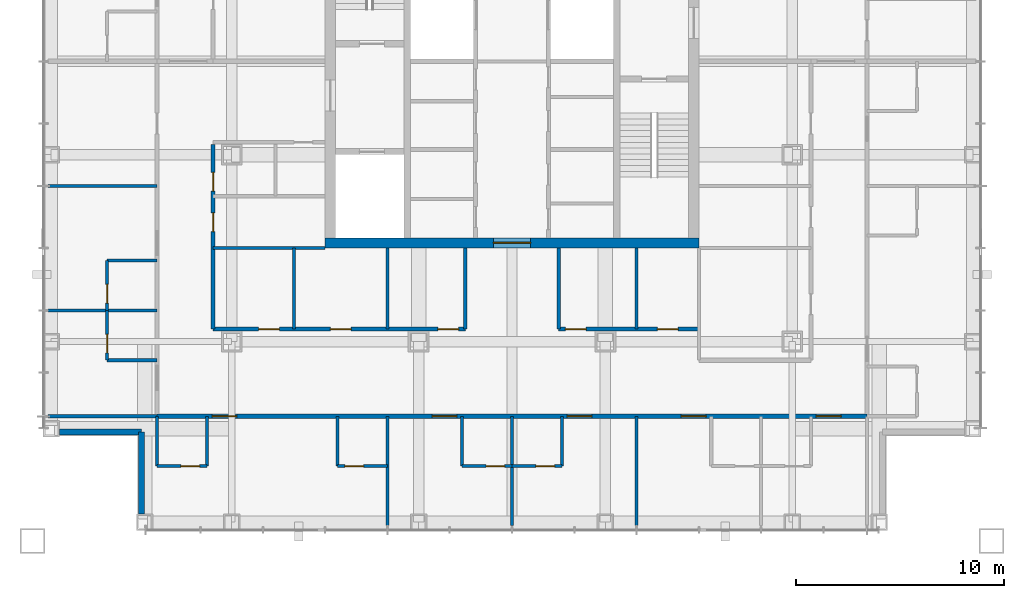
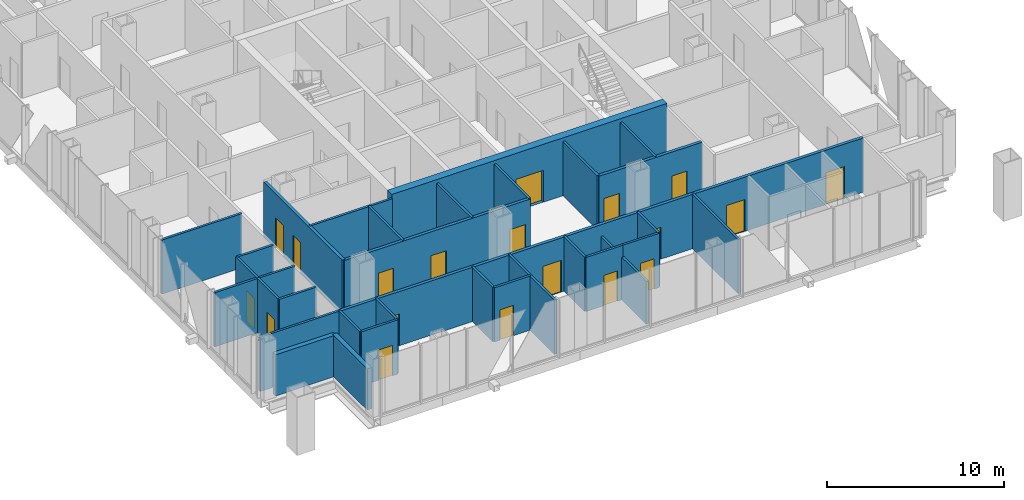
# One storey, part 11 of 21: 32 walls, 19 doors, 19 openings.
"""IFC4 building model written with IfcOpenShell, lengths in metres."""

from ifc_helpers import new_model, si_unit, direction, frame, frame_2d, origin, place, context, subcontext, project, spatial, rectangle, extrude, material, layer, layer_set, type_object, element, fill, save


model = new_model("IFC4")

# Units and contexts
model_context = context("Model", 3, precision=1e-05, world=origin(), true_north=direction((0.0, 1.0)))
body_context = subcontext(model_context, "Body", "Model", "MODEL_VIEW")
ifc_project = project(units=[si_unit("LENGTHUNIT", "METRE"), si_unit("AREAUNIT", "SQUARE_METRE"), si_unit("VOLUMEUNIT", "CUBIC_METRE"), si_unit("PLANEANGLEUNIT", "RADIAN"), si_unit("MASSUNIT", "GRAM", prefix="KILO")], contexts=[model_context])

# Site, building, storey
site_placement = place(None, origin())
site = spatial("IfcSite", under=ifc_project, at=site_placement, CompositionType="ELEMENT")
building_placement = place(site_placement, origin())
building = spatial("IfcBuilding", under=site, at=building_placement, Name="Malebo Sky Hospital", CompositionType="ELEMENT")
storey_placement = place(building_placement, frame((0.0, 0.0, 229.0)))
storey = spatial("IfcBuildingStorey", under=building, at=storey_placement, Name="L55", CompositionType="ELEMENT", Elevation=229.0)

# Wall, opening, door
ifc_material_1 = material(Name="Concrete C80/95", Category="concrete")
ifc_layer_1 = layer(ifc_material_1, 0.5)
ifc_layer_set_1 = layer_set([ifc_layer_1], Name="CORE WALL 500")
wall_type_1 = type_object("IfcWallType", Name="CORE WALL 500", PredefinedType="SHEAR", material=ifc_layer_set_1)
wall_1_placement = place(storey_placement, frame((51.0, 53.25, 0.0), z_axis=(0.0, 0.0, 1.0), x_axis=(1.0, 0.0, 0.0)))
wall_1 = element("IfcWall", 1, at=wall_1_placement, inside=storey, type_object=wall_type_1, Name="Core wall S L55", PredefinedType="SHEAR", context=body_context, shape_type="SweptSolid", body=[
    extrude(rectangle(XDim=18.0, YDim=0.5, at=frame_2d((9.0, 0.0))), origin(), (0.0, 0.0, 1.0), 4.0),
])
opening_1_placement = place(wall_1_placement, frame((8.10009765625, 0.0, 0.0)))
opening_1 = element("IfcOpeningElement", 2, at=opening_1_placement, cuts=wall_1, Name="Opening D06", PredefinedType="OPENING", context=body_context, shape_type="SweptSolid", body=[
    extrude(rectangle(XDim=1.800048828125, YDim=2.199951171875, at=frame_2d((0.89990234375, 1.10009765625))), frame((0.0, 0.260009765625, 0.0), z_axis=(0.0, -1.0, 0.0), x_axis=(1.0, 0.0, 0.0)), (0.0, 0.0, 1.0), 0.52001953125),
])
ifc_material_2 = material(Name="Hardwood-faced door leaf in steel frame", Category="steel")
door_type_1 = type_object("IfcDoorType", Name="LOBBY DOOR PAIR 1800", OperationType="DOUBLE_DOOR_SINGLE_SWING", PredefinedType="DOOR", material=ifc_material_2)
door_1_placement = place(opening_1_placement, origin())
door_1 = element("IfcDoor", 3, at=door_1_placement, inside=storey, type_object=door_type_1, Name="Service lobby door south", OperationType="DOUBLE_DOOR_SINGLE_SWING", OverallHeight=2.199951171875, OverallWidth=1.800048828125, PredefinedType="DOOR", context=body_context, shape_type="SweptSolid", body=[
    extrude(rectangle(XDim=1.800048828125, YDim=2.199951171875, at=frame_2d((0.89990234375, 1.10009765625))), frame((0.0, 0.02490234375, 0.0), z_axis=(0.0, -1.0, 0.0), x_axis=(1.0, 0.0, 0.0)), (0.0, 0.0, 1.0), 0.050048828125),
])
fill(opening_1, door_1)

# Wall, openings, doors
ifc_material_3 = material(Name="Gypsum board on steel studs", Category="steel")
ifc_layer_2 = layer(ifc_material_3, 0.199951171875)
ifc_layer_set_2 = layer_set([ifc_layer_2], Name="CORRIDOR WALL 200")
wall_type_2 = type_object("IfcWallType", Name="CORRIDOR WALL 200", PredefinedType="PARTITIONING", material=ifc_layer_set_2)
wall_2_placement = place(storey_placement, frame((45.60009765625, 49.10009765625, 0.0), z_axis=(0.0, 0.0, 1.0), x_axis=(0.0, 1.0, 0.0)))
wall_2 = element("IfcWall", 4, at=wall_2_placement, inside=storey, type_object=wall_type_2, Name="Corridor Wall 200 WCI1", PredefinedType="PARTITIONING", context=body_context, shape_type="SweptSolid", body=[
    extrude(rectangle(XDim=8.89990234375, YDim=0.199951171875, at=frame_2d((4.449951171875, 0.0))), origin(), (0.0, 0.0, 1.0), 3.75),
])
opening_2_placement = place(wall_2_placement, frame((4.699951171875, 0.0, 0.0)))
opening_2 = element("IfcOpeningElement", 5, at=opening_2_placement, cuts=wall_2, Name="Opening D04", PredefinedType="OPENING", context=body_context, shape_type="SweptSolid", body=[
    extrude(rectangle(XDim=0.89990234375, YDim=2.10009765625, at=frame_2d((0.449951171875, 1.050048828125))), frame((0.0, 0.10986328125, 0.0), z_axis=(0.0, -1.0, 0.0), x_axis=(1.0, 0.0, 0.0)), (0.0, 0.0, 1.0), 0.219970703125),
])
opening_3_placement = place(wall_2_placement, frame((6.64990234375, 0.0, 0.0)))
opening_3 = element("IfcOpeningElement", 6, at=opening_3_placement, cuts=wall_2, Name="Opening D04", PredefinedType="OPENING", context=body_context, shape_type="SweptSolid", body=[
    extrude(rectangle(XDim=0.89990234375, YDim=2.10009765625, at=frame_2d((0.449951171875, 1.050048828125))), frame((0.0, 0.10986328125, 0.0), z_axis=(0.0, -1.0, 0.0), x_axis=(1.0, 0.0, 0.0)), (0.0, 0.0, 1.0), 0.219970703125),
])
door_type_2 = type_object("IfcDoorType", Name="ROOM DOOR 900", OperationType="SINGLE_SWING_LEFT", PredefinedType="DOOR", material=ifc_material_2)
door_2_placement = place(opening_2_placement, origin())
door_2 = element("IfcDoor", 7, at=door_2_placement, inside=storey, type_object=door_type_2, Name="Ward office door", OperationType="SINGLE_SWING_LEFT", OverallHeight=2.10009765625, OverallWidth=0.89990234375, PredefinedType="DOOR", context=body_context, shape_type="SweptSolid", body=[
    extrude(rectangle(XDim=0.89990234375, YDim=2.10009765625, at=frame_2d((0.449951171875, 1.050048828125))), frame((0.0, 0.02490234375, 0.0), z_axis=(0.0, -1.0, 0.0), x_axis=(1.0, 0.0, 0.0)), (0.0, 0.0, 1.0), 0.050048828125),
])
fill(opening_2, door_2)
door_3_placement = place(opening_3_placement, origin())
door_3 = element("IfcDoor", 8, at=door_3_placement, inside=storey, type_object=door_type_2, Name="Linen store door", OperationType="SINGLE_SWING_LEFT", OverallHeight=2.10009765625, OverallWidth=0.89990234375, PredefinedType="DOOR", context=body_context, shape_type="SweptSolid", body=[
    extrude(rectangle(XDim=0.89990234375, YDim=2.10009765625, at=frame_2d((0.449951171875, 1.050048828125))), frame((0.0, 0.02490234375, 0.0), z_axis=(0.0, -1.0, 0.0), x_axis=(1.0, 0.0, 0.0)), (0.0, 0.0, 1.0), 0.050048828125),
])
fill(opening_3, door_3)

wall_3_placement = place(storey_placement, frame((77.10009765625, 44.89990234375, 0.0), z_axis=(0.0, 0.0, 1.0), x_axis=(-1.0, 0.0, 0.0)))
wall_3 = element("IfcWall", 9, at=wall_3_placement, inside=storey, type_object=wall_type_2, Name="Corridor Wall 200 SCO", PredefinedType="PARTITIONING", context=body_context, shape_type="SweptSolid", body=[
    extrude(rectangle(XDim=34.2001953125, YDim=0.199951171875, at=frame_2d((17.10009765625, 0.0))), origin(), (0.0, 0.0, 1.0), 3.75),
])
opening_4_placement = place(wall_3_placement, frame((1.25, 0.0, 0.0)))
opening_4 = element("IfcOpeningElement", 10, at=opening_4_placement, cuts=wall_3, Name="Opening D01", PredefinedType="OPENING", context=body_context, shape_type="SweptSolid", body=[
    extrude(rectangle(XDim=1.199951171875, YDim=2.199951171875, at=frame_2d((0.60009765625, 1.10009765625))), frame((0.0, 0.10986328125, 0.0), z_axis=(0.0, -1.0, 0.0), x_axis=(1.0, 0.0, 0.0)), (0.0, 0.0, 1.0), 0.219970703125),
])
opening_5_placement = place(wall_3_placement, frame((7.75, 0.0, 0.0)))
opening_5 = element("IfcOpeningElement", 11, at=opening_5_placement, cuts=wall_3, Name="Opening D01", PredefinedType="OPENING", context=body_context, shape_type="SweptSolid", body=[
    extrude(rectangle(XDim=1.199951171875, YDim=2.199951171875, at=frame_2d((0.60009765625, 1.10009765625))), frame((0.0, 0.10986328125, 0.0), z_axis=(0.0, -1.0, 0.0), x_axis=(1.0, 0.0, 0.0)), (0.0, 0.0, 1.0), 0.219970703125),
])
opening_6_placement = place(wall_3_placement, frame((13.25, 0.0, 0.0)))
opening_6 = element("IfcOpeningElement", 12, at=opening_6_placement, cuts=wall_3, Name="Opening D01", PredefinedType="OPENING", context=body_context, shape_type="SweptSolid", body=[
    extrude(rectangle(XDim=1.199951171875, YDim=2.199951171875, at=frame_2d((0.60009765625, 1.10009765625))), frame((0.0, 0.10986328125, 0.0), z_axis=(0.0, -1.0, 0.0), x_axis=(1.0, 0.0, 0.0)), (0.0, 0.0, 1.0), 0.219970703125),
])
opening_7_placement = place(wall_3_placement, frame((19.75, 0.0, 0.0)))
opening_7 = element("IfcOpeningElement", 13, at=opening_7_placement, cuts=wall_3, Name="Opening D01", PredefinedType="OPENING", context=body_context, shape_type="SweptSolid", body=[
    extrude(rectangle(XDim=1.199951171875, YDim=2.199951171875, at=frame_2d((0.60009765625, 1.10009765625))), frame((0.0, 0.10986328125, 0.0), z_axis=(0.0, -1.0, 0.0), x_axis=(1.0, 0.0, 0.0)), (0.0, 0.0, 1.0), 0.219970703125),
])
opening_8_placement = place(wall_3_placement, frame((30.35009765625, 0.0, 0.0)))
opening_8 = element("IfcOpeningElement", 14, at=opening_8_placement, cuts=wall_3, Name="Opening D01", PredefinedType="OPENING", context=body_context, shape_type="SweptSolid", body=[
    extrude(rectangle(XDim=1.199951171875, YDim=2.199951171875, at=frame_2d((0.60009765625, 1.10009765625))), frame((0.0, 0.10986328125, 0.0), z_axis=(0.0, -1.0, 0.0), x_axis=(1.0, 0.0, 0.0)), (0.0, 0.0, 1.0), 0.219970703125),
])
door_type_3 = type_object("IfcDoorType", Name="BED DOOR 1200", OperationType="SINGLE_SWING_LEFT", PredefinedType="DOOR", material=ifc_material_2)
door_4_placement = place(opening_4_placement, origin())
door_4 = element("IfcDoor", 15, at=door_4_placement, inside=storey, type_object=door_type_3, Name="Single bed room door", OperationType="SINGLE_SWING_RIGHT", OverallHeight=2.199951171875, OverallWidth=1.199951171875, PredefinedType="DOOR", context=body_context, shape_type="SweptSolid", body=[
    extrude(rectangle(XDim=1.199951171875, YDim=2.199951171875, at=frame_2d((0.60009765625, 1.10009765625))), frame((0.0, 0.02490234375, 0.0), z_axis=(0.0, -1.0, 0.0), x_axis=(1.0, 0.0, 0.0)), (0.0, 0.0, 1.0), 0.050048828125),
])
fill(opening_4, door_4)
door_5_placement = place(opening_5_placement, origin())
door_5 = element("IfcDoor", 16, at=door_5_placement, inside=storey, type_object=door_type_3, Name="Single bed room door", OperationType="SINGLE_SWING_LEFT", OverallHeight=2.199951171875, OverallWidth=1.199951171875, PredefinedType="DOOR", context=body_context, shape_type="SweptSolid", body=[
    extrude(rectangle(XDim=1.199951171875, YDim=2.199951171875, at=frame_2d((0.60009765625, 1.10009765625))), frame((0.0, 0.02490234375, 0.0), z_axis=(0.0, -1.0, 0.0), x_axis=(1.0, 0.0, 0.0)), (0.0, 0.0, 1.0), 0.050048828125),
])
fill(opening_5, door_5)
door_6_placement = place(opening_6_placement, origin())
door_6 = element("IfcDoor", 17, at=door_6_placement, inside=storey, type_object=door_type_3, Name="Single bed room door", OperationType="SINGLE_SWING_RIGHT", OverallHeight=2.199951171875, OverallWidth=1.199951171875, PredefinedType="DOOR", context=body_context, shape_type="SweptSolid", body=[
    extrude(rectangle(XDim=1.199951171875, YDim=2.199951171875, at=frame_2d((0.60009765625, 1.10009765625))), frame((0.0, 0.02490234375, 0.0), z_axis=(0.0, -1.0, 0.0), x_axis=(1.0, 0.0, 0.0)), (0.0, 0.0, 1.0), 0.050048828125),
])
fill(opening_6, door_6)
door_7_placement = place(opening_7_placement, origin())
door_7 = element("IfcDoor", 18, at=door_7_placement, inside=storey, type_object=door_type_3, Name="Single bed room door", OperationType="SINGLE_SWING_LEFT", OverallHeight=2.199951171875, OverallWidth=1.199951171875, PredefinedType="DOOR", context=body_context, shape_type="SweptSolid", body=[
    extrude(rectangle(XDim=1.199951171875, YDim=2.199951171875, at=frame_2d((0.60009765625, 1.10009765625))), frame((0.0, 0.02490234375, 0.0), z_axis=(0.0, -1.0, 0.0), x_axis=(1.0, 0.0, 0.0)), (0.0, 0.0, 1.0), 0.050048828125),
])
fill(opening_7, door_7)
door_8_placement = place(opening_8_placement, origin())
door_8 = element("IfcDoor", 19, at=door_8_placement, inside=storey, type_object=door_type_3, Name="Four-bed bay door", OperationType="SINGLE_SWING_RIGHT", OverallHeight=2.199951171875, OverallWidth=1.199951171875, PredefinedType="DOOR", context=body_context, shape_type="SweptSolid", body=[
    extrude(rectangle(XDim=1.199951171875, YDim=2.199951171875, at=frame_2d((0.60009765625, 1.10009765625))), frame((0.0, 0.02490234375, 0.0), z_axis=(0.0, -1.0, 0.0), x_axis=(1.0, 0.0, 0.0)), (0.0, 0.0, 1.0), 0.050048828125),
])
fill(opening_8, door_8)

wall_4_placement = place(storey_placement, frame((69.0, 49.10009765625, 0.0), z_axis=(0.0, 0.0, 1.0), x_axis=(-1.0, 0.0, 0.0)))
wall_4 = element("IfcWall", 20, at=wall_4_placement, inside=storey, type_object=wall_type_2, Name="Corridor Wall 200 SCI1", PredefinedType="PARTITIONING", context=body_context, shape_type="SweptSolid", body=[
    extrude(rectangle(XDim=6.75, YDim=0.199951171875, at=frame_2d((3.375, 0.0))), origin(), (0.0, 0.0, 1.0), 3.75),
])
opening_9_placement = place(wall_4_placement, frame((1.0, 0.0, 0.0)))
opening_9 = element("IfcOpeningElement", 21, at=opening_9_placement, cuts=wall_4, Name="Opening D03", PredefinedType="OPENING", context=body_context, shape_type="SweptSolid", body=[
    extrude(rectangle(XDim=1.0, YDim=2.10009765625, at=frame_2d((0.5, 1.050048828125))), frame((0.0, 0.10986328125, 0.0), z_axis=(0.0, -1.0, 0.0), x_axis=(1.0, 0.0, 0.0)), (0.0, 0.0, 1.0), 0.219970703125),
])
opening_10_placement = place(wall_4_placement, frame((5.425048828125, 0.0, 0.0)))
opening_10 = element("IfcOpeningElement", 22, at=opening_10_placement, cuts=wall_4, Name="Opening D03", PredefinedType="OPENING", context=body_context, shape_type="SweptSolid", body=[
    extrude(rectangle(XDim=1.0, YDim=2.10009765625, at=frame_2d((0.5, 1.050048828125))), frame((0.0, 0.10986328125, 0.0), z_axis=(0.0, -1.0, 0.0), x_axis=(1.0, 0.0, 0.0)), (0.0, 0.0, 1.0), 0.219970703125),
])
door_type_4 = type_object("IfcDoorType", Name="ROOM DOOR 1000", OperationType="SINGLE_SWING_LEFT", PredefinedType="DOOR", material=ifc_material_2)
door_9_placement = place(opening_9_placement, origin())
door_9 = element("IfcDoor", 23, at=door_9_placement, inside=storey, type_object=door_type_4, Name="Clean utility room door", OperationType="SINGLE_SWING_LEFT", OverallHeight=2.10009765625, OverallWidth=1.0, PredefinedType="DOOR", context=body_context, shape_type="SweptSolid", body=[
    extrude(rectangle(XDim=1.0, YDim=2.10009765625, at=frame_2d((0.5, 1.050048828125))), frame((0.0, 0.02490234375, 0.0), z_axis=(0.0, -1.0, 0.0), x_axis=(1.0, 0.0, 0.0)), (0.0, 0.0, 1.0), 0.050048828125),
])
fill(opening_9, door_9)
door_10_placement = place(opening_10_placement, origin())
door_10 = element("IfcDoor", 24, at=door_10_placement, inside=storey, type_object=door_type_4, Name="Parents' kitchen door", OperationType="SINGLE_SWING_RIGHT", OverallHeight=2.10009765625, OverallWidth=1.0, PredefinedType="DOOR", context=body_context, shape_type="SweptSolid", body=[
    extrude(rectangle(XDim=1.0, YDim=2.10009765625, at=frame_2d((0.5, 1.050048828125))), frame((0.0, 0.02490234375, 0.0), z_axis=(0.0, -1.0, 0.0), x_axis=(1.0, 0.0, 0.0)), (0.0, 0.0, 1.0), 0.050048828125),
])
fill(opening_10, door_10)

wall_5_placement = place(storey_placement, frame((57.75, 49.10009765625, 0.0), z_axis=(0.0, 0.0, 1.0), x_axis=(-1.0, 0.0, 0.0)))
wall_5 = element("IfcWall", 25, at=wall_5_placement, inside=storey, type_object=wall_type_2, Name="Corridor Wall 200 SCI2", PredefinedType="PARTITIONING", context=body_context, shape_type="SweptSolid", body=[
    extrude(rectangle(XDim=12.14990234375, YDim=0.199951171875, at=frame_2d((6.074951171875, 0.0))), origin(), (0.0, 0.0, 1.0), 3.75),
])
opening_11_placement = place(wall_5_placement, frame((0.324951171875, 0.0, 0.0)))
opening_11 = element("IfcOpeningElement", 26, at=opening_11_placement, cuts=wall_5, Name="Opening D03", PredefinedType="OPENING", context=body_context, shape_type="SweptSolid", body=[
    extrude(rectangle(XDim=1.0, YDim=2.10009765625, at=frame_2d((0.5, 1.050048828125))), frame((0.0, 0.10986328125, 0.0), z_axis=(0.0, -1.0, 0.0), x_axis=(1.0, 0.0, 0.0)), (0.0, 0.0, 1.0), 0.219970703125),
])
opening_12_placement = place(wall_5_placement, frame((5.5, 0.0, 0.0)))
opening_12 = element("IfcOpeningElement", 27, at=opening_12_placement, cuts=wall_5, Name="Opening D03", PredefinedType="OPENING", context=body_context, shape_type="SweptSolid", body=[
    extrude(rectangle(XDim=1.0, YDim=2.10009765625, at=frame_2d((0.5, 1.050048828125))), frame((0.0, 0.10986328125, 0.0), z_axis=(0.0, -1.0, 0.0), x_axis=(1.0, 0.0, 0.0)), (0.0, 0.0, 1.0), 0.219970703125),
])
opening_13_placement = place(wall_5_placement, frame((8.949951171875, 0.0, 0.0)))
opening_13 = element("IfcOpeningElement", 28, at=opening_13_placement, cuts=wall_5, Name="Opening D03", PredefinedType="OPENING", context=body_context, shape_type="SweptSolid", body=[
    extrude(rectangle(XDim=1.0, YDim=2.10009765625, at=frame_2d((0.5, 1.050048828125))), frame((0.0, 0.10986328125, 0.0), z_axis=(0.0, -1.0, 0.0), x_axis=(1.0, 0.0, 0.0)), (0.0, 0.0, 1.0), 0.219970703125),
])
door_11_placement = place(opening_11_placement, origin())
door_11 = element("IfcDoor", 29, at=door_11_placement, inside=storey, type_object=door_type_4, Name="Seminar room door", OperationType="SINGLE_SWING_LEFT", OverallHeight=2.10009765625, OverallWidth=1.0, PredefinedType="DOOR", context=body_context, shape_type="SweptSolid", body=[
    extrude(rectangle(XDim=1.0, YDim=2.10009765625, at=frame_2d((0.5, 1.050048828125))), frame((0.0, 0.02490234375, 0.0), z_axis=(0.0, -1.0, 0.0), x_axis=(1.0, 0.0, 0.0)), (0.0, 0.0, 1.0), 0.050048828125),
])
fill(opening_11, door_11)
door_12_placement = place(opening_12_placement, origin())
door_12 = element("IfcDoor", 30, at=door_12_placement, inside=storey, type_object=door_type_4, Name="Staff base door", OperationType="SINGLE_SWING_LEFT", OverallHeight=2.10009765625, OverallWidth=1.0, PredefinedType="DOOR", context=body_context, shape_type="SweptSolid", body=[
    extrude(rectangle(XDim=1.0, YDim=2.10009765625, at=frame_2d((0.5, 1.050048828125))), frame((0.0, 0.02490234375, 0.0), z_axis=(0.0, -1.0, 0.0), x_axis=(1.0, 0.0, 0.0)), (0.0, 0.0, 1.0), 0.050048828125),
])
fill(opening_12, door_12)
door_13_placement = place(opening_13_placement, origin())
door_13 = element("IfcDoor", 31, at=door_13_placement, inside=storey, type_object=door_type_4, Name="Interview room door", OperationType="SINGLE_SWING_LEFT", OverallHeight=2.10009765625, OverallWidth=1.0, PredefinedType="DOOR", context=body_context, shape_type="SweptSolid", body=[
    extrude(rectangle(XDim=1.0, YDim=2.10009765625, at=frame_2d((0.5, 1.050048828125))), frame((0.0, 0.02490234375, 0.0), z_axis=(0.0, -1.0, 0.0), x_axis=(1.0, 0.0, 0.0)), (0.0, 0.0, 1.0), 0.050048828125),
])
fill(opening_13, door_13)

# Walls
ifc_material_4 = material(Name="Anodised aluminium rainscreen on steel framing", Category="steel")
ifc_layer_3 = layer(ifc_material_4, 0.300048828125)
ifc_layer_set_3 = layer_set([ifc_layer_3], Name="NOTCH RAINSCREEN WALL 300")
wall_type_3 = type_object("IfcWallType", Name="NOTCH RAINSCREEN WALL 300", PredefinedType="ELEMENTEDWALL", material=ifc_layer_set_3)
for number, where, z_axis, x_axis, name in (
    (32, (42.14990234375, 40.199951171875, 0.0), (0.0, 0.0, 1.0), (0.0, 1.0, 0.0), "Notch rainscreen wall S1 L55"),
    (33, (42.14990234375, 44.14990234375, 0.0), (0.0, 0.0, 1.0), (-1.0, 0.0, 0.0), "Notch rainscreen wall S2 L55"),
):
    element("IfcWall", number, at=place(storey_placement, frame(where, z_axis=z_axis, x_axis=x_axis)), inside=storey, type_object=wall_type_3, Name=name, PredefinedType="ELEMENTEDWALL", context=body_context, shape_type="SweptSolid", body=[
        extrude(rectangle(XDim=3.949951171875, YDim=0.300048828125, at=frame_2d((1.97509765625, 0.0))), origin(), (0.0, 0.0, 1.0), 2.85009765625),
    ])
ifc_layer_4 = layer(ifc_material_3, 0.14990234375)
ifc_layer_set_4 = layer_set([ifc_layer_4], Name="PARTITION 150")
wall_type_4 = type_object("IfcWallType", Name="PARTITION 150", PredefinedType="PARTITIONING", material=ifc_layer_set_4)
for number, where, z_axis, x_axis, name in (
    (34, (42.89990234375, 50.0, 0.0), (0.0, 0.0, 1.0), (-1.0, 0.0, 0.0), "Partition 150 WP-12.0"),
    (35, (42.89990234375, 56.0, 0.0), (0.0, 0.0, 1.0), (-1.0, 0.0, 0.0), "Partition 150 WP-6.0"),
    (36, (42.89990234375, 44.89990234375, 0.0), (0.0, 0.0, 1.0), (-1.0, 0.0, 0.0), "Partition 150 WP0"),
):
    element("IfcWall", number, at=place(storey_placement, frame(where, z_axis=z_axis, x_axis=x_axis)), inside=storey, type_object=wall_type_4, Name=name, PredefinedType="PARTITIONING", context=body_context, shape_type="SweptSolid", body=[
        extrude(rectangle(XDim=5.25, YDim=0.14990234375, at=frame_2d((2.625, 0.0))), origin(), (0.0, 0.0, 1.0), 3.75),
    ])

# Wall, opening, door
wall_6_placement = place(storey_placement, frame((40.5, 47.60009765625, 0.0), z_axis=(0.0, 0.0, 1.0), x_axis=(0.0, 1.0, 0.0)))
wall_6 = element("IfcWall", 37, at=wall_6_placement, inside=storey, type_object=wall_type_4, Name="Partition 150 WE0F", PredefinedType="PARTITIONING", context=body_context, shape_type="SweptSolid", body=[
    extrude(rectangle(XDim=2.39990234375, YDim=0.14990234375, at=frame_2d((1.199951171875, 0.0))), origin(), (0.0, 0.0, 1.0), 3.75),
])
opening_14_placement = place(wall_6_placement, frame((0.35009765625, 0.0, 0.0)))
opening_14 = element("IfcOpeningElement", 38, at=opening_14_placement, cuts=wall_6, Name="Opening D02", PredefinedType="OPENING", context=body_context, shape_type="SweptSolid", body=[
    extrude(rectangle(XDim=0.89990234375, YDim=2.10009765625, at=frame_2d((0.449951171875, 1.050048828125))), frame((0.0, 0.0849609375, 0.0), z_axis=(0.0, -1.0, 0.0), x_axis=(1.0, 0.0, 0.0)), (0.0, 0.0, 1.0), 0.169921875),
])
door_type_5 = type_object("IfcDoorType", Name="EN-SUITE DOOR 900", OperationType="SINGLE_SWING_LEFT", PredefinedType="DOOR", material=ifc_material_2)
door_14_placement = place(opening_14_placement, origin())
door_14 = element("IfcDoor", 39, at=door_14_placement, inside=storey, type_object=door_type_5, Name="En-suite door", OperationType="SINGLE_SWING_LEFT", OverallHeight=2.10009765625, OverallWidth=0.89990234375, PredefinedType="DOOR", context=body_context, shape_type="SweptSolid", body=[
    extrude(rectangle(XDim=0.89990234375, YDim=2.10009765625, at=frame_2d((0.449951171875, 1.050048828125))), frame((0.0, 0.02490234375, 0.0), z_axis=(0.0, -1.0, 0.0), x_axis=(1.0, 0.0, 0.0)), (0.0, 0.0, 1.0), 0.050048828125),
])
fill(opening_14, door_14)

# Wall
wall_7_placement = place(storey_placement, frame((42.89990234375, 47.60009765625, 0.0), z_axis=(0.0, 0.0, 1.0), x_axis=(-1.0, 0.0, 0.0)))
element("IfcWall", 40, at=wall_7_placement, inside=storey, type_object=wall_type_4, Name="Partition 150 WE0S", PredefinedType="PARTITIONING", context=body_context, shape_type="SweptSolid", body=[
    extrude(rectangle(XDim=2.39990234375, YDim=0.14990234375, at=frame_2d((1.199951171875, 0.0))), origin(), (0.0, 0.0, 1.0), 3.75),
])

# Wall, opening, door
wall_8_placement = place(storey_placement, frame((40.5, 50.0, 0.0), z_axis=(0.0, 0.0, 1.0), x_axis=(0.0, 1.0, 0.0)))
wall_8 = element("IfcWall", 41, at=wall_8_placement, inside=storey, type_object=wall_type_4, Name="Partition 150 WE1F", PredefinedType="PARTITIONING", context=body_context, shape_type="SweptSolid", body=[
    extrude(rectangle(XDim=2.39990234375, YDim=0.14990234375, at=frame_2d((1.199951171875, 0.0))), origin(), (0.0, 0.0, 1.0), 3.75),
])
opening_15_placement = place(wall_8_placement, frame((0.35009765625, 0.0, 0.0)))
opening_15 = element("IfcOpeningElement", 42, at=opening_15_placement, cuts=wall_8, Name="Opening D02", PredefinedType="OPENING", context=body_context, shape_type="SweptSolid", body=[
    extrude(rectangle(XDim=0.89990234375, YDim=2.10009765625, at=frame_2d((0.449951171875, 1.050048828125))), frame((0.0, 0.0849609375, 0.0), z_axis=(0.0, -1.0, 0.0), x_axis=(1.0, 0.0, 0.0)), (0.0, 0.0, 1.0), 0.169921875),
])
door_15_placement = place(opening_15_placement, origin())
door_15 = element("IfcDoor", 43, at=door_15_placement, inside=storey, type_object=door_type_5, Name="En-suite door", OperationType="SINGLE_SWING_LEFT", OverallHeight=2.10009765625, OverallWidth=0.89990234375, PredefinedType="DOOR", context=body_context, shape_type="SweptSolid", body=[
    extrude(rectangle(XDim=0.89990234375, YDim=2.10009765625, at=frame_2d((0.449951171875, 1.050048828125))), frame((0.0, 0.02490234375, 0.0), z_axis=(0.0, -1.0, 0.0), x_axis=(1.0, 0.0, 0.0)), (0.0, 0.0, 1.0), 0.050048828125),
])
fill(opening_15, door_15)

# Walls
wall_9_placement = place(storey_placement, frame((42.89990234375, 52.39990234375, 0.0), z_axis=(0.0, 0.0, 1.0), x_axis=(-1.0, 0.0, 0.0)))
element("IfcWall", 44, at=wall_9_placement, inside=storey, type_object=wall_type_4, Name="Partition 150 WE1S", PredefinedType="PARTITIONING", context=body_context, shape_type="SweptSolid", body=[
    extrude(rectangle(XDim=2.39990234375, YDim=0.14990234375, at=frame_2d((1.199951171875, 0.0))), origin(), (0.0, 0.0, 1.0), 3.75),
])
wall_10_placement = place(storey_placement, frame((51.0, 53.0, 0.0), z_axis=(0.0, 0.0, 1.0), x_axis=(-1.0, 0.0, 0.0)))
element("IfcWall", 45, at=wall_10_placement, inside=storey, type_object=wall_type_4, Name="Partition 150 WSP0", PredefinedType="PARTITIONING", context=body_context, shape_type="SweptSolid", body=[
    extrude(rectangle(XDim=5.39990234375, YDim=0.14990234375, at=frame_2d((2.699951171875, 0.0))), origin(), (0.0, 0.0, 1.0), 3.75),
])
wall_11_placement = place(storey_placement, frame((66.0, 44.89990234375, 0.0), z_axis=(0.0, 0.0, 1.0), x_axis=(0.0, -1.0, 0.0)))
element("IfcWall", 46, at=wall_11_placement, inside=storey, type_object=wall_type_4, Name="Partition 150 SP-6.0", PredefinedType="PARTITIONING", context=body_context, shape_type="SweptSolid", body=[
    extrude(rectangle(XDim=5.25, YDim=0.14990234375, at=frame_2d((2.625, 0.0))), origin(), (0.0, 0.0, 1.0), 3.75),
])
wall_12_placement = place(storey_placement, frame((60.0, 44.89990234375, 0.0), z_axis=(0.0, 0.0, 1.0), x_axis=(0.0, -1.0, 0.0)))
element("IfcWall", 47, at=wall_12_placement, inside=storey, type_object=wall_type_4, Name="Partition 150 SP+0.0", PredefinedType="PARTITIONING", context=body_context, shape_type="SweptSolid", body=[
    extrude(rectangle(XDim=5.25, YDim=0.14990234375, at=frame_2d((2.625, 0.0))), origin(), (0.0, 0.0, 1.0), 2.949951171875),
])
wall_13_placement = place(storey_placement, frame((54.0, 44.89990234375, 0.0), z_axis=(0.0, 0.0, 1.0), x_axis=(0.0, -1.0, 0.0)))
element("IfcWall", 48, at=wall_13_placement, inside=storey, type_object=wall_type_4, Name="Partition 150 SP+6.0", PredefinedType="PARTITIONING", context=body_context, shape_type="SweptSolid", body=[
    extrude(rectangle(XDim=5.25, YDim=0.14990234375, at=frame_2d((2.625, 0.0))), origin(), (0.0, 0.0, 1.0), 3.75),
])

# Wall, opening, door
wall_14_placement = place(storey_placement, frame((62.39990234375, 42.5, 0.0), z_axis=(0.0, 0.0, 1.0), x_axis=(-1.0, 0.0, 0.0)))
wall_14 = element("IfcWall", 49, at=wall_14_placement, inside=storey, type_object=wall_type_4, Name="Partition 150 SE2F", PredefinedType="PARTITIONING", context=body_context, shape_type="SweptSolid", body=[
    extrude(rectangle(XDim=2.39990234375, YDim=0.14990234375, at=frame_2d((1.199951171875, 0.0))), origin(), (0.0, 0.0, 1.0), 3.75),
])
opening_16_placement = place(wall_14_placement, frame((0.35009765625, 0.0, 0.0)))
opening_16 = element("IfcOpeningElement", 50, at=opening_16_placement, cuts=wall_14, Name="Opening D02", PredefinedType="OPENING", context=body_context, shape_type="SweptSolid", body=[
    extrude(rectangle(XDim=0.89990234375, YDim=2.10009765625, at=frame_2d((0.449951171875, 1.050048828125))), frame((0.0, 0.0849609375, 0.0), z_axis=(0.0, -1.0, 0.0), x_axis=(1.0, 0.0, 0.0)), (0.0, 0.0, 1.0), 0.169921875),
])
door_16_placement = place(opening_16_placement, origin())
door_16 = element("IfcDoor", 51, at=door_16_placement, inside=storey, type_object=door_type_5, Name="En-suite door", OperationType="SINGLE_SWING_LEFT", OverallHeight=2.10009765625, OverallWidth=0.89990234375, PredefinedType="DOOR", context=body_context, shape_type="SweptSolid", body=[
    extrude(rectangle(XDim=0.89990234375, YDim=2.10009765625, at=frame_2d((0.449951171875, 1.050048828125))), frame((0.0, 0.02490234375, 0.0), z_axis=(0.0, -1.0, 0.0), x_axis=(1.0, 0.0, 0.0)), (0.0, 0.0, 1.0), 0.050048828125),
])
fill(opening_16, door_16)

# Wall
wall_15_placement = place(storey_placement, frame((62.39990234375, 44.89990234375, 0.0), z_axis=(0.0, 0.0, 1.0), x_axis=(0.0, -1.0, 0.0)))
element("IfcWall", 52, at=wall_15_placement, inside=storey, type_object=wall_type_4, Name="Partition 150 SE2S", PredefinedType="PARTITIONING", context=body_context, shape_type="SweptSolid", body=[
    extrude(rectangle(XDim=2.39990234375, YDim=0.14990234375, at=frame_2d((1.199951171875, 0.0))), origin(), (0.0, 0.0, 1.0), 3.75),
])

# Wall, opening, door
wall_16_placement = place(storey_placement, frame((60.0, 42.5, 0.0), z_axis=(0.0, 0.0, 1.0), x_axis=(-1.0, 0.0, 0.0)))
wall_16 = element("IfcWall", 53, at=wall_16_placement, inside=storey, type_object=wall_type_4, Name="Partition 150 SE3F", PredefinedType="PARTITIONING", context=body_context, shape_type="SweptSolid", body=[
    extrude(rectangle(XDim=2.39990234375, YDim=0.14990234375, at=frame_2d((1.199951171875, 0.0))), origin(), (0.0, 0.0, 1.0), 3.75),
])
opening_17_placement = place(wall_16_placement, frame((0.35009765625, 0.0, 0.0)))
opening_17 = element("IfcOpeningElement", 54, at=opening_17_placement, cuts=wall_16, Name="Opening D02", PredefinedType="OPENING", context=body_context, shape_type="SweptSolid", body=[
    extrude(rectangle(XDim=0.89990234375, YDim=2.10009765625, at=frame_2d((0.449951171875, 1.050048828125))), frame((0.0, 0.0849609375, 0.0), z_axis=(0.0, -1.0, 0.0), x_axis=(1.0, 0.0, 0.0)), (0.0, 0.0, 1.0), 0.169921875),
])
door_17_placement = place(opening_17_placement, origin())
door_17 = element("IfcDoor", 55, at=door_17_placement, inside=storey, type_object=door_type_5, Name="En-suite door", OperationType="SINGLE_SWING_LEFT", OverallHeight=2.10009765625, OverallWidth=0.89990234375, PredefinedType="DOOR", context=body_context, shape_type="SweptSolid", body=[
    extrude(rectangle(XDim=0.89990234375, YDim=2.10009765625, at=frame_2d((0.449951171875, 1.050048828125))), frame((0.0, 0.02490234375, 0.0), z_axis=(0.0, -1.0, 0.0), x_axis=(1.0, 0.0, 0.0)), (0.0, 0.0, 1.0), 0.050048828125),
])
fill(opening_17, door_17)

# Wall
wall_17_placement = place(storey_placement, frame((57.60009765625, 44.89990234375, 0.0), z_axis=(0.0, 0.0, 1.0), x_axis=(0.0, -1.0, 0.0)))
element("IfcWall", 56, at=wall_17_placement, inside=storey, type_object=wall_type_4, Name="Partition 150 SE3S", PredefinedType="PARTITIONING", context=body_context, shape_type="SweptSolid", body=[
    extrude(rectangle(XDim=2.39990234375, YDim=0.14990234375, at=frame_2d((1.199951171875, 0.0))), origin(), (0.0, 0.0, 1.0), 3.75),
])

# Wall, opening, door
wall_18_placement = place(storey_placement, frame((45.300048828125, 42.5, 0.0), z_axis=(0.0, 0.0, 1.0), x_axis=(-1.0, 0.0, 0.0)))
wall_18 = element("IfcWall", 57, at=wall_18_placement, inside=storey, type_object=wall_type_4, Name="Partition 150 SE4F", PredefinedType="PARTITIONING", context=body_context, shape_type="SweptSolid", body=[
    extrude(rectangle(XDim=2.400146484375, YDim=0.14990234375, at=frame_2d((1.2001953125, 0.0))), origin(), (0.0, 0.0, 1.0), 3.75),
])
opening_18_placement = place(wall_18_placement, frame((0.35009765625, 0.0, 0.0)))
opening_18 = element("IfcOpeningElement", 58, at=opening_18_placement, cuts=wall_18, Name="Opening D02", PredefinedType="OPENING", context=body_context, shape_type="SweptSolid", body=[
    extrude(rectangle(XDim=0.89990234375, YDim=2.10009765625, at=frame_2d((0.449951171875, 1.050048828125))), frame((0.0, 0.0849609375, 0.0), z_axis=(0.0, -1.0, 0.0), x_axis=(1.0, 0.0, 0.0)), (0.0, 0.0, 1.0), 0.169921875),
])
door_18_placement = place(opening_18_placement, origin())
door_18 = element("IfcDoor", 59, at=door_18_placement, inside=storey, type_object=door_type_5, Name="En-suite door", OperationType="SINGLE_SWING_LEFT", OverallHeight=2.10009765625, OverallWidth=0.89990234375, PredefinedType="DOOR", context=body_context, shape_type="SweptSolid", body=[
    extrude(rectangle(XDim=0.89990234375, YDim=2.10009765625, at=frame_2d((0.449951171875, 1.050048828125))), frame((0.0, 0.02490234375, 0.0), z_axis=(0.0, -1.0, 0.0), x_axis=(1.0, 0.0, 0.0)), (0.0, 0.0, 1.0), 0.050048828125),
])
fill(opening_18, door_18)

# Wall
wall_19_placement = place(storey_placement, frame((45.300048828125, 44.89990234375, 0.0), z_axis=(0.0, 0.0, 1.0), x_axis=(0.0, -1.0, 0.0)))
element("IfcWall", 60, at=wall_19_placement, inside=storey, type_object=wall_type_4, Name="Partition 150 SE4S", PredefinedType="PARTITIONING", context=body_context, shape_type="SweptSolid", body=[
    extrude(rectangle(XDim=2.39990234375, YDim=0.14990234375, at=frame_2d((1.199951171875, 0.0))), origin(), (0.0, 0.0, 1.0), 3.75),
])

# Wall, opening, door
wall_20_placement = place(storey_placement, frame((54.0, 42.5, 0.0), z_axis=(0.0, 0.0, 1.0), x_axis=(-1.0, 0.0, 0.0)))
wall_20 = element("IfcWall", 61, at=wall_20_placement, inside=storey, type_object=wall_type_4, Name="Partition 150 SG4F", PredefinedType="PARTITIONING", context=body_context, shape_type="SweptSolid", body=[
    extrude(rectangle(XDim=2.39990234375, YDim=0.14990234375, at=frame_2d((1.199951171875, 0.0))), origin(), (0.0, 0.0, 1.0), 3.75),
])
opening_19_placement = place(wall_20_placement, frame((1.14990234375, 0.0, 0.0)))
opening_19 = element("IfcOpeningElement", 62, at=opening_19_placement, cuts=wall_20, Name="Opening D02", PredefinedType="OPENING", context=body_context, shape_type="SweptSolid", body=[
    extrude(rectangle(XDim=0.89990234375, YDim=2.10009765625, at=frame_2d((0.449951171875, 1.050048828125))), frame((0.0, 0.0849609375, 0.0), z_axis=(0.0, -1.0, 0.0), x_axis=(1.0, 0.0, 0.0)), (0.0, 0.0, 1.0), 0.169921875),
])
door_19_placement = place(opening_19_placement, origin())
door_19 = element("IfcDoor", 63, at=door_19_placement, inside=storey, type_object=door_type_5, Name="En-suite door", OperationType="SINGLE_SWING_RIGHT", OverallHeight=2.10009765625, OverallWidth=0.89990234375, PredefinedType="DOOR", context=body_context, shape_type="SweptSolid", body=[
    extrude(rectangle(XDim=0.89990234375, YDim=2.10009765625, at=frame_2d((0.449951171875, 1.050048828125))), frame((0.0, 0.02490234375, 0.0), z_axis=(0.0, -1.0, 0.0), x_axis=(1.0, 0.0, 0.0)), (0.0, 0.0, 1.0), 0.050048828125),
])
fill(opening_19, door_19)

# Walls
for number, where, z_axis, x_axis, name in (
    (64, (51.60009765625, 44.89990234375, 0.0), (0.0, 0.0, 1.0), (0.0, -1.0, 0.0), "Partition 150 SG4S"),
    (65, (42.89990234375, 44.89990234375, 0.0), (0.0, 0.0, 1.0), (0.0, -1.0, 0.0), "Partition 150 SEZ"),
):
    element("IfcWall", number, at=place(storey_placement, frame(where, z_axis=z_axis, x_axis=x_axis)), inside=storey, type_object=wall_type_4, Name=name, PredefinedType="PARTITIONING", context=body_context, shape_type="SweptSolid", body=[
        extrude(rectangle(XDim=2.39990234375, YDim=0.14990234375, at=frame_2d((1.199951171875, 0.0))), origin(), (0.0, 0.0, 1.0), 3.75),
    ])
for number, where, z_axis, x_axis, name in (
    (66, (62.25, 53.0, 0.0), (0.0, 0.0, 1.0), (0.0, -1.0, 0.0), "Partition 150 SSPA"),
    (67, (57.75, 53.0, 0.0), (0.0, 0.0, 1.0), (0.0, -1.0, 0.0), "Partition 150 SSPB"),
    (68, (66.0, 53.0, 0.0), (0.0, 0.0, 1.0), (0.0, -1.0, 0.0), "Partition 150 SSP-6.0"),
    (69, (54.0, 53.0, 0.0), (0.0, 0.0, 1.0), (0.0, -1.0, 0.0), "Partition 150 SSP+6.0"),
    (70, (49.5, 53.0, 0.0), (0.0, 0.0, 1.0), (0.0, -1.0, 0.0), "Partition 150 SSP+10.5"),
):
    element("IfcWall", number, at=place(storey_placement, frame(where, z_axis=z_axis, x_axis=x_axis)), inside=storey, type_object=wall_type_4, Name=name, PredefinedType="PARTITIONING", context=body_context, shape_type="SweptSolid", body=[
        extrude(rectangle(XDim=3.89990234375, YDim=0.14990234375, at=frame_2d((1.949951171875, 0.0))), origin(), (0.0, 0.0, 1.0), 3.75),
    ])

save(model, "model.ifc")
